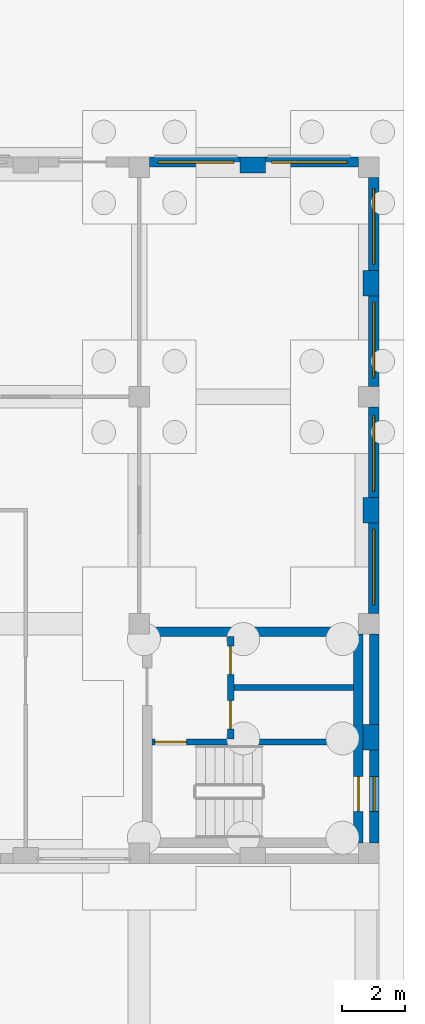
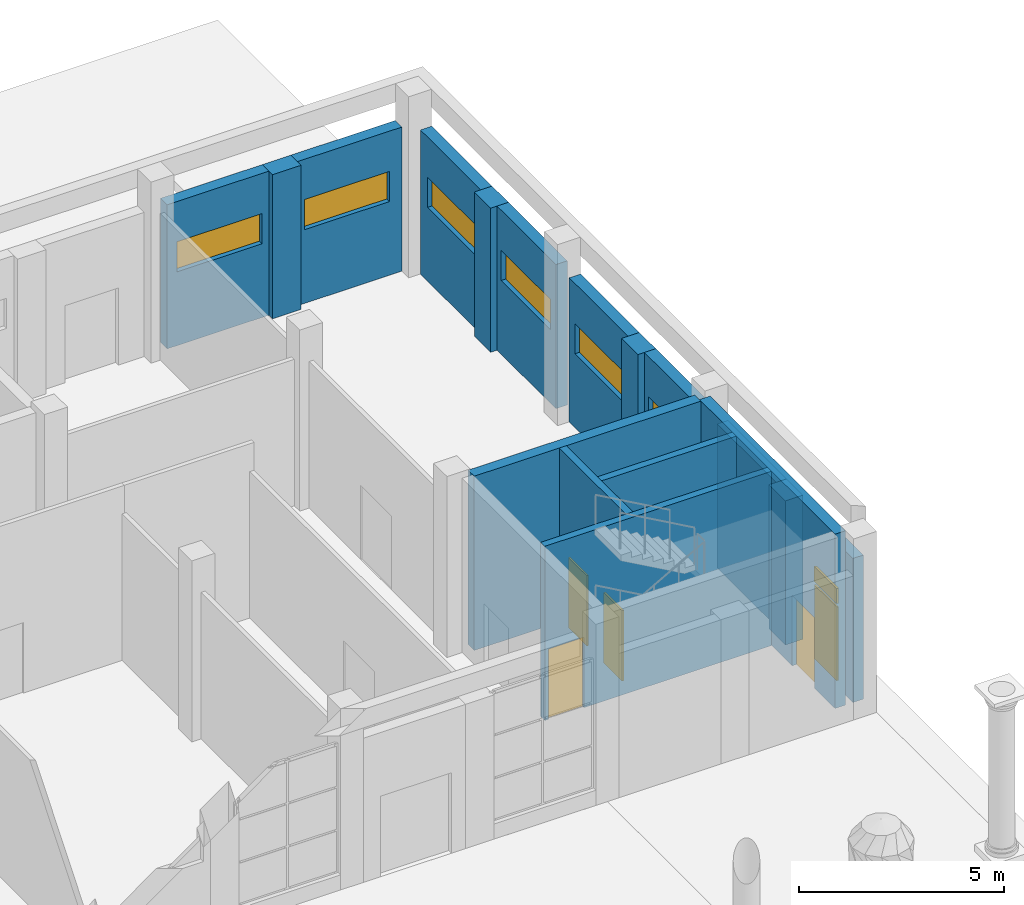
# One storey, part 53 of 80: 17 walls, 7 windows, 5 doors, 12 openings.
"""IFC4 building model written with IfcOpenShell, lengths in metres."""

from ifc_helpers import new_model, si_unit, direction, frame, frame_2d, origin, place, context, subcontext, project, spatial, rectangle, extrude, material, layer, layer_set, type_object, element, fill, save


model = new_model("IFC4")

# Units and contexts
model_context = context("Model", 3, precision=1e-05, world=origin(), true_north=direction((0.0, 1.0)))
body_context = subcontext(model_context, "Body", "Model", "MODEL_VIEW")
ifc_project = project(units=[si_unit("LENGTHUNIT", "METRE"), si_unit("AREAUNIT", "SQUARE_METRE"), si_unit("VOLUMEUNIT", "CUBIC_METRE"), si_unit("PLANEANGLEUNIT", "RADIAN"), si_unit("MASSUNIT", "GRAM", prefix="KILO")], contexts=[model_context])

# Site, building, storey
site_placement = place(None, origin())
site = spatial("IfcSite", under=ifc_project, at=site_placement, CompositionType="ELEMENT")
building_placement = place(site_placement, origin())
building = spatial("IfcBuilding", under=site, at=building_placement, Name="Ussher Court Research Institute", CompositionType="ELEMENT")
storey_placement = place(building_placement, origin())
storey = spatial("IfcBuildingStorey", under=building, at=storey_placement, Name="L00", CompositionType="ELEMENT", Elevation=0.0)

# Wall, opening, window
ifc_material_1 = material(Name="Faience facing on insulated blockwork", Category="masonry")
ifc_layer_1 = layer(ifc_material_1, 0.320068359375)
ifc_layer_set_1 = layer_set([ifc_layer_1], Name="Faience facing on insulated blockwork")
wall_type_1 = type_object("IfcWallType", Name="Clean-room wall 320 faience faced insulated panel", PredefinedType="SOLIDWALL", material=ifc_layer_set_1)
wall_1_placement = place(storey_placement, frame((96.925048828125, 90.639892578125, 0.0), z_axis=(0.0, 0.0, 1.0), x_axis=(1.0, 0.0, 0.0)))
wall_1 = element("IfcWall", 1, at=wall_1_placement, inside=storey, type_object=wall_type_1, Name="External wall EW3 L00", PredefinedType="SOLIDWALL", context=body_context, shape_type="SweptSolid", body=[
    extrude(rectangle(XDim=2.875, YDim=0.320068359375, at=frame_2d((1.4375, 0.0))), origin(), (0.0, 0.0, 1.0), 4.300048828125),
])
opening_1_placement = place(wall_1_placement, frame((0.27490234375, 0.0, 2.199951171875)))
opening_1 = element("IfcOpeningElement", 2, at=opening_1_placement, cuts=wall_1, Name="Opening W11", PredefinedType="OPENING", context=body_context, shape_type="SweptSolid", body=[
    extrude(rectangle(XDim=2.39990234375, YDim=0.89990234375, at=frame_2d((1.199951171875, 0.449951171875))), frame((0.0, 0.169921875, 0.0), z_axis=(0.0, -1.0, 0.0), x_axis=(1.0, 0.0, 0.0)), (0.0, 0.0, 1.0), 0.340087890625),
])
ifc_material_2 = material(Name="Bronze anodised aluminium with double glazing", Category="aluminium")
window_type_1 = type_object("IfcWindowType", Name="Store high-level window 2400x900", PartitioningType="TRIPLE_PANEL_HORIZONTAL", PredefinedType="WINDOW", material=ifc_material_2)
window_1_placement = place(opening_1_placement, origin())
window_1 = element("IfcWindow", 3, at=window_1_placement, inside=storey, type_object=window_type_1, Name="Window W11 L00", OverallHeight=0.89990234375, OverallWidth=2.39990234375, PartitioningType="SINGLE_PANEL", PredefinedType="WINDOW", context=body_context, shape_type="SweptSolid", body=[
    extrude(rectangle(XDim=2.39990234375, YDim=0.89990234375, at=frame_2d((1.199951171875, 0.449951171875))), frame((0.0, 0.030029296875, 0.0), z_axis=(0.0, -1.0, 0.0), x_axis=(1.0, 0.0, 0.0)), (0.0, 0.0, 1.0), 0.06005859375),
])
fill(opening_1, window_1)

wall_2_placement = place(storey_placement, frame((100.60009765625, 90.639892578125, 0.0), z_axis=(0.0, 0.0, 1.0), x_axis=(1.0, 0.0, 0.0)))
wall_2 = element("IfcWall", 4, at=wall_2_placement, inside=storey, type_object=wall_type_1, Name="External wall EW3 L00", PredefinedType="SOLIDWALL", context=body_context, shape_type="SweptSolid", body=[
    extrude(rectangle(XDim=2.949951171875, YDim=0.320068359375, at=frame_2d((1.47509765625, 0.0))), origin(), (0.0, 0.0, 1.0), 4.300048828125),
])
opening_2_placement = place(wall_2_placement, frame((0.199951171875, 0.0, 2.199951171875)))
opening_2 = element("IfcOpeningElement", 5, at=opening_2_placement, cuts=wall_2, Name="Opening W11", PredefinedType="OPENING", context=body_context, shape_type="SweptSolid", body=[
    extrude(rectangle(XDim=2.39990234375, YDim=0.89990234375, at=frame_2d((1.199951171875, 0.449951171875))), frame((0.0, 0.169921875, 0.0), z_axis=(0.0, -1.0, 0.0), x_axis=(1.0, 0.0, 0.0)), (0.0, 0.0, 1.0), 0.340087890625),
])
window_2_placement = place(opening_2_placement, origin())
window_2 = element("IfcWindow", 6, at=window_2_placement, inside=storey, type_object=window_type_1, Name="Window W11 L00", OverallHeight=0.89990234375, OverallWidth=2.39990234375, PartitioningType="SINGLE_PANEL", PredefinedType="WINDOW", context=body_context, shape_type="SweptSolid", body=[
    extrude(rectangle(XDim=2.39990234375, YDim=0.89990234375, at=frame_2d((1.199951171875, 0.449951171875))), frame((0.0, 0.030029296875, 0.0), z_axis=(0.0, -1.0, 0.0), x_axis=(1.0, 0.0, 0.0)), (0.0, 0.0, 1.0), 0.06005859375),
])
fill(opening_2, window_2)

wall_3_placement = place(storey_placement, frame((104.0400390625, 90.14990234375, 0.0), z_axis=(0.0, 0.0, 1.0), x_axis=(0.0, -1.0, 0.0)))
wall_3 = element("IfcWall", 7, at=wall_3_placement, inside=storey, type_object=wall_type_1, Name="External wall EW3 L00", PredefinedType="SOLIDWALL", context=body_context, shape_type="SweptSolid", body=[
    extrude(rectangle(XDim=2.949951171875, YDim=0.320068359375, at=frame_2d((1.47509765625, 0.0))), origin(), (0.0, 0.0, 1.0), 4.300048828125),
])
opening_3_placement = place(wall_3_placement, frame((0.35009765625, 0.0, 2.199951171875)))
opening_3 = element("IfcOpeningElement", 8, at=opening_3_placement, cuts=wall_3, Name="Opening W11", PredefinedType="OPENING", context=body_context, shape_type="SweptSolid", body=[
    extrude(rectangle(XDim=2.39990234375, YDim=0.89990234375, at=frame_2d((1.199951171875, 0.449951171875))), frame((0.0, 0.169921875, 0.0), z_axis=(0.0, -1.0, 0.0), x_axis=(1.0, 0.0, 0.0)), (0.0, 0.0, 1.0), 0.340087890625),
])
window_3_placement = place(opening_3_placement, origin())
window_3 = element("IfcWindow", 9, at=window_3_placement, inside=storey, type_object=window_type_1, Name="Window W11 L00", OverallHeight=0.89990234375, OverallWidth=2.39990234375, PartitioningType="SINGLE_PANEL", PredefinedType="WINDOW", context=body_context, shape_type="SweptSolid", body=[
    extrude(rectangle(XDim=2.39990234375, YDim=0.89990234375, at=frame_2d((1.199951171875, 0.449951171875))), frame((0.0, 0.030029296875, 0.0), z_axis=(0.0, -1.0, 0.0), x_axis=(1.0, 0.0, 0.0)), (0.0, 0.0, 1.0), 0.06005859375),
])
fill(opening_3, window_3)

wall_4_placement = place(storey_placement, frame((104.0400390625, 86.39990234375, 0.0), z_axis=(0.0, 0.0, 1.0), x_axis=(0.0, -1.0, 0.0)))
wall_4 = element("IfcWall", 10, at=wall_4_placement, inside=storey, type_object=wall_type_1, Name="External wall EW3 L00", PredefinedType="SOLIDWALL", context=body_context, shape_type="SweptSolid", body=[
    extrude(rectangle(XDim=2.875, YDim=0.320068359375, at=frame_2d((1.4375, 0.0))), origin(), (0.0, 0.0, 1.0), 4.300048828125),
])
opening_4_placement = place(wall_4_placement, frame((0.199951171875, 0.0, 2.199951171875)))
opening_4 = element("IfcOpeningElement", 11, at=opening_4_placement, cuts=wall_4, Name="Opening W11", PredefinedType="OPENING", context=body_context, shape_type="SweptSolid", body=[
    extrude(rectangle(XDim=2.39990234375, YDim=0.89990234375, at=frame_2d((1.199951171875, 0.449951171875))), frame((0.0, 0.169921875, 0.0), z_axis=(0.0, -1.0, 0.0), x_axis=(1.0, 0.0, 0.0)), (0.0, 0.0, 1.0), 0.340087890625),
])
window_4_placement = place(opening_4_placement, origin())
window_4 = element("IfcWindow", 12, at=window_4_placement, inside=storey, type_object=window_type_1, Name="Window W11 L00", OverallHeight=0.89990234375, OverallWidth=2.39990234375, PartitioningType="SINGLE_PANEL", PredefinedType="WINDOW", context=body_context, shape_type="SweptSolid", body=[
    extrude(rectangle(XDim=2.39990234375, YDim=0.89990234375, at=frame_2d((1.199951171875, 0.449951171875))), frame((0.0, 0.030029296875, 0.0), z_axis=(0.0, -1.0, 0.0), x_axis=(1.0, 0.0, 0.0)), (0.0, 0.0, 1.0), 0.06005859375),
])
fill(opening_4, window_4)

wall_5_placement = place(storey_placement, frame((104.0400390625, 82.875, 0.0), z_axis=(0.0, 0.0, 1.0), x_axis=(0.0, -1.0, 0.0)))
wall_5 = element("IfcWall", 13, at=wall_5_placement, inside=storey, type_object=wall_type_1, Name="External wall EW3 L00", PredefinedType="SOLIDWALL", context=body_context, shape_type="SweptSolid", body=[
    extrude(rectangle(XDim=2.875, YDim=0.320068359375, at=frame_2d((1.4375, 0.0))), origin(), (0.0, 0.0, 1.0), 4.300048828125),
])
opening_5_placement = place(wall_5_placement, frame((0.27490234375, 0.0, 2.199951171875)))
opening_5 = element("IfcOpeningElement", 14, at=opening_5_placement, cuts=wall_5, Name="Opening W11", PredefinedType="OPENING", context=body_context, shape_type="SweptSolid", body=[
    extrude(rectangle(XDim=2.39990234375, YDim=0.89990234375, at=frame_2d((1.199951171875, 0.449951171875))), frame((0.0, 0.169921875, 0.0), z_axis=(0.0, -1.0, 0.0), x_axis=(1.0, 0.0, 0.0)), (0.0, 0.0, 1.0), 0.340087890625),
])
window_5_placement = place(opening_5_placement, origin())
window_5 = element("IfcWindow", 15, at=window_5_placement, inside=storey, type_object=window_type_1, Name="Window W11 L00", OverallHeight=0.89990234375, OverallWidth=2.39990234375, PartitioningType="SINGLE_PANEL", PredefinedType="WINDOW", context=body_context, shape_type="SweptSolid", body=[
    extrude(rectangle(XDim=2.39990234375, YDim=0.89990234375, at=frame_2d((1.199951171875, 0.449951171875))), frame((0.0, 0.030029296875, 0.0), z_axis=(0.0, -1.0, 0.0), x_axis=(1.0, 0.0, 0.0)), (0.0, 0.0, 1.0), 0.06005859375),
])
fill(opening_5, window_5)

wall_6_placement = place(storey_placement, frame((104.0400390625, 79.199951171875, 0.0), z_axis=(0.0, 0.0, 1.0), x_axis=(0.0, -1.0, 0.0)))
wall_6 = element("IfcWall", 16, at=wall_6_placement, inside=storey, type_object=wall_type_1, Name="External wall EW3 L00", PredefinedType="SOLIDWALL", context=body_context, shape_type="SweptSolid", body=[
    extrude(rectangle(XDim=2.875, YDim=0.320068359375, at=frame_2d((1.4375, 0.0))), origin(), (0.0, 0.0, 1.0), 4.300048828125),
])
opening_6_placement = place(wall_6_placement, frame((0.199951171875, 0.0, 2.199951171875)))
opening_6 = element("IfcOpeningElement", 17, at=opening_6_placement, cuts=wall_6, Name="Opening W11", PredefinedType="OPENING", context=body_context, shape_type="SweptSolid", body=[
    extrude(rectangle(XDim=2.39990234375, YDim=0.89990234375, at=frame_2d((1.199951171875, 0.449951171875))), frame((0.0, 0.169921875, 0.0), z_axis=(0.0, -1.0, 0.0), x_axis=(1.0, 0.0, 0.0)), (0.0, 0.0, 1.0), 0.340087890625),
])
window_6_placement = place(opening_6_placement, origin())
window_6 = element("IfcWindow", 18, at=window_6_placement, inside=storey, type_object=window_type_1, Name="Window W11 L00", OverallHeight=0.89990234375, OverallWidth=2.39990234375, PartitioningType="SINGLE_PANEL", PredefinedType="WINDOW", context=body_context, shape_type="SweptSolid", body=[
    extrude(rectangle(XDim=2.39990234375, YDim=0.89990234375, at=frame_2d((1.199951171875, 0.449951171875))), frame((0.0, 0.030029296875, 0.0), z_axis=(0.0, -1.0, 0.0), x_axis=(1.0, 0.0, 0.0)), (0.0, 0.0, 1.0), 0.06005859375),
])
fill(opening_6, window_6)

# Wall
ifc_material_3 = material(Name="Limestone facing on blockwork", Category="masonry")
ifc_layer_2 = layer(ifc_material_3, 0.300048828125)
ifc_layer_set_2 = layer_set([ifc_layer_2], Name="Limestone facing on blockwork")
wall_type_2 = type_object("IfcWallType", Name="External wall 300 stair enclosure", PredefinedType="SOLIDWALL", material=ifc_layer_set_2)
wall_7_placement = place(storey_placement, frame((104.050048828125, 75.675048828125, 0.0), z_axis=(0.0, 0.0, 1.0), x_axis=(0.0, -1.0, 0.0)))
element("IfcWall", 19, at=wall_7_placement, inside=storey, type_object=wall_type_2, Name="External wall EW5 L00", PredefinedType="SOLIDWALL", context=body_context, shape_type="SweptSolid", body=[
    extrude(rectangle(XDim=2.875, YDim=0.300048828125, at=frame_2d((1.4375, 0.0))), origin(), (0.0, 0.0, 1.0), 4.300048828125),
])

# Wall, openings, door, window
wall_8_placement = place(storey_placement, frame((104.050048828125, 72.0, 0.0), z_axis=(0.0, 0.0, 1.0), x_axis=(0.0, -1.0, 0.0)))
wall_8 = element("IfcWall", 20, at=wall_8_placement, inside=storey, type_object=wall_type_2, Name="External wall EW5 L00", PredefinedType="SOLIDWALL", context=body_context, shape_type="SweptSolid", body=[
    extrude(rectangle(XDim=2.949951171875, YDim=0.300048828125, at=frame_2d((1.47509765625, 0.0))), origin(), (0.0, 0.0, 1.0), 4.300048828125),
])
opening_7_placement = place(wall_8_placement, frame((0.85009765625, 0.0, 0.0)))
opening_7 = element("IfcOpeningElement", 21, at=opening_7_placement, cuts=wall_8, Name="Opening DX08", PredefinedType="OPENING", context=body_context, shape_type="SweptSolid", body=[
    extrude(rectangle(XDim=1.10009765625, YDim=2.199951171875, at=frame_2d((0.550048828125, 1.10009765625))), frame((0.0, 0.16015625, 0.0), z_axis=(0.0, -1.0, 0.0), x_axis=(1.0, 0.0, 0.0)), (0.0, 0.0, 1.0), 0.320068359375),
])
opening_8_placement = place(wall_8_placement, frame((0.85009765625, 0.0, 2.300048828125)))
opening_8 = element("IfcOpeningElement", 22, at=opening_8_placement, cuts=wall_8, Name="Opening W18", PredefinedType="OPENING", context=body_context, shape_type="SweptSolid", body=[
    extrude(rectangle(XDim=1.10009765625, YDim=0.449951171875, at=frame_2d((0.550048828125, 0.22509765625))), frame((0.0, 0.16015625, 0.0), z_axis=(0.0, -1.0, 0.0), x_axis=(1.0, 0.0, 0.0)), (0.0, 0.0, 1.0), 0.320068359375),
])
ifc_material_4 = material(Name="Painted steel", Category="steel")
door_type_1 = type_object("IfcDoorType", Name="Stair discharge door 1100x2200", OperationType="SINGLE_SWING_LEFT", PredefinedType="DOOR", material=ifc_material_4)
door_1_placement = place(opening_7_placement, origin())
door_1 = element("IfcDoor", 23, at=door_1_placement, inside=storey, type_object=door_type_1, Name="Door DX08", OperationType="SINGLE_SWING_LEFT", OverallHeight=2.199951171875, OverallWidth=1.10009765625, PredefinedType="DOOR", context=body_context, shape_type="SweptSolid", body=[
    extrude(rectangle(XDim=1.10009765625, YDim=2.199951171875, at=frame_2d((0.550048828125, 1.10009765625))), frame((0.0, 0.02490234375, 0.0), z_axis=(0.0, -1.0, 0.0), x_axis=(1.0, 0.0, 0.0)), (0.0, 0.0, 1.0), 0.050048828125),
])
fill(opening_7, door_1)
ifc_material_5 = material(Name="Bronze anodised aluminium with double glazing", Category="aluminium")
window_type_2 = type_object("IfcWindowType", Name="Stair discharge transom light 1100x450", PartitioningType="SINGLE_PANEL", PredefinedType="WINDOW", material=ifc_material_5)
window_7_placement = place(opening_8_placement, origin())
window_7 = element("IfcWindow", 24, at=window_7_placement, inside=storey, type_object=window_type_2, Name="Window W18 L00", OverallHeight=0.449951171875, OverallWidth=1.10009765625, PartitioningType="SINGLE_PANEL", PredefinedType="WINDOW", context=body_context, shape_type="SweptSolid", body=[
    extrude(rectangle(XDim=1.10009765625, YDim=0.449951171875, at=frame_2d((0.550048828125, 0.22509765625))), frame((0.0, 0.030029296875, 0.0), z_axis=(0.0, -1.0, 0.0), x_axis=(1.0, 0.0, 0.0)), (0.0, 0.0, 1.0), 0.06005859375),
])
fill(opening_8, window_7)

# Walls
ifc_material_6 = material(Name="Rusticated limestone facing on blockwork", Category="masonry")
ifc_layer_3 = layer(ifc_material_6, 0.5)
ifc_layer_set_3 = layer_set([ifc_layer_3], Name="Rusticated limestone facing on blockwork")
wall_type_3 = type_object("IfcWallType", Name="Pier 800x500 rusticated limestone", PredefinedType="SOLIDWALL", material=ifc_layer_set_3)
for number, where, z_axis, x_axis, name in (
    (25, (99.800048828125, 90.550048828125, 0.0), (0.0, 0.0, 1.0), (1.0, 0.0, 0.0), "Pier PR2 L00"),
    (26, (103.949951171875, 87.199951171875, 0.0), (0.0, 0.0, 1.0), (0.0, -1.0, 0.0), "Pier PR2 L00"),
    (27, (103.949951171875, 80.0, 0.0), (0.0, 0.0, 1.0), (0.0, -1.0, 0.0), "Pier PR2 L00"),
    (28, (103.949951171875, 72.800048828125, 0.0), (0.0, 0.0, 1.0), (0.0, -1.0, 0.0), "Pier PR2 L00"),
):
    element("IfcWall", number, at=place(storey_placement, frame(where, z_axis=z_axis, x_axis=x_axis)), inside=storey, type_object=wall_type_3, Name=name, PredefinedType="SOLIDWALL", context=body_context, shape_type="SweptSolid", body=[
        extrude(rectangle(XDim=0.800048828125, YDim=0.5, at=frame_2d((0.39990234375, 0.0))), origin(), (0.0, 0.0, 1.0), 4.300048828125),
    ])

# Wall, opening, door
ifc_material_7 = material(Name="Concrete C35/45", Category="concrete")
ifc_layer_4 = layer(ifc_material_7, 0.199951171875)
ifc_layer_set_4 = layer_set([ifc_layer_4], Name="Concrete C35/45")
wall_type_4 = type_object("IfcWallType", Name="RC core wall 200", PredefinedType="SHEAR", material=ifc_layer_set_4)
wall_9_placement = place(storey_placement, frame((97.0, 72.25, 0.0), z_axis=(0.0, 0.0, 1.0), x_axis=(1.0, 0.0, 0.0)))
wall_9 = element("IfcWall", 29, at=wall_9_placement, inside=storey, type_object=wall_type_4, Name="Core wall C2", PredefinedType="SHEAR", context=body_context, shape_type="SweptSolid", body=[
    extrude(rectangle(XDim=6.39990234375, YDim=0.199951171875, at=frame_2d((3.199951171875, 0.0))), origin(), (0.0, 0.0, 1.0), 5.199951171875),
])
opening_9_placement = place(wall_9_placement, frame((0.10009765625, 0.0, 0.0)))
opening_9 = element("IfcOpeningElement", 30, at=opening_9_placement, cuts=wall_9, Name="Opening D00093", PredefinedType="OPENING", context=body_context, shape_type="SweptSolid", body=[
    extrude(rectangle(XDim=1.0, YDim=2.10009765625, at=frame_2d((0.5, 1.050048828125))), frame((0.0, 0.10986328125, 0.0), z_axis=(0.0, -1.0, 0.0), x_axis=(1.0, 0.0, 0.0)), (0.0, 0.0, 1.0), 0.219970703125),
])
ifc_material_8 = material(Name="Painted steel faced fire door", Category="steel")
door_type_2 = type_object("IfcDoorType", Name="Fire door 1000x2100 FD60", OperationType="NOTDEFINED", PredefinedType="DOOR", material=ifc_material_8)
door_2_placement = place(opening_9_placement, origin())
door_2 = element("IfcDoor", 31, at=door_2_placement, inside=storey, type_object=door_type_2, Name="Door D00093", OperationType="SINGLE_SWING_LEFT", OverallHeight=2.10009765625, OverallWidth=1.0, PredefinedType="DOOR", context=body_context, shape_type="SweptSolid", body=[
    extrude(rectangle(XDim=1.0, YDim=2.10009765625, at=frame_2d((0.5, 1.050048828125))), frame((0.0, 0.02490234375, 0.0), z_axis=(0.0, -1.0, 0.0), x_axis=(1.0, 0.0, 0.0)), (0.0, 0.0, 1.0), 0.050048828125),
])
fill(opening_9, door_2)

# Wall, openings, doors
wall_10_placement = place(storey_placement, frame((99.5, 72.35009765625, 0.0), z_axis=(0.0, 0.0, 1.0), x_axis=(0.0, 1.0, 0.0)))
wall_10 = element("IfcWall", 32, at=wall_10_placement, inside=storey, type_object=wall_type_4, Name="Core wall C2", PredefinedType="SHEAR", context=body_context, shape_type="SweptSolid", body=[
    extrude(rectangle(XDim=3.25, YDim=0.199951171875, at=frame_2d((1.625, 0.0))), origin(), (0.0, 0.0, 1.0), 5.199951171875),
])
opening_10_placement = place(wall_10_placement, frame((0.3125, 0.0, 0.0)))
opening_10 = element("IfcOpeningElement", 33, at=opening_10_placement, cuts=wall_10, Name="Opening D00094", PredefinedType="OPENING", context=body_context, shape_type="SweptSolid", body=[
    extrude(rectangle(XDim=0.89990234375, YDim=2.10009765625, at=frame_2d((0.449951171875, 1.050048828125))), frame((0.0, 0.10986328125, 0.0), z_axis=(0.0, -1.0, 0.0), x_axis=(1.0, 0.0, 0.0)), (0.0, 0.0, 1.0), 0.219970703125),
])
opening_11_placement = place(wall_10_placement, frame((2.03759765625, 0.0, 0.0)))
opening_11 = element("IfcOpeningElement", 34, at=opening_11_placement, cuts=wall_10, Name="Opening D00095", PredefinedType="OPENING", context=body_context, shape_type="SweptSolid", body=[
    extrude(rectangle(XDim=0.89990234375, YDim=2.10009765625, at=frame_2d((0.449951171875, 1.050048828125))), frame((0.0, 0.10986328125, 0.0), z_axis=(0.0, -1.0, 0.0), x_axis=(1.0, 0.0, 0.0)), (0.0, 0.0, 1.0), 0.219970703125),
])
ifc_material_9 = material(Name="Painted steel faced fire door", Category="steel")
door_type_3 = type_object("IfcDoorType", Name="Fire door 900x2100 FD60", OperationType="NOTDEFINED", PredefinedType="DOOR", material=ifc_material_9)
door_3_placement = place(opening_10_placement, origin())
door_3 = element("IfcDoor", 35, at=door_3_placement, inside=storey, type_object=door_type_3, Name="Door D00094", OperationType="SINGLE_SWING_LEFT", OverallHeight=2.10009765625, OverallWidth=0.89990234375, PredefinedType="DOOR", context=body_context, shape_type="SweptSolid", body=[
    extrude(rectangle(XDim=0.89990234375, YDim=2.10009765625, at=frame_2d((0.449951171875, 1.050048828125))), frame((0.0, 0.02490234375, 0.0), z_axis=(0.0, -1.0, 0.0), x_axis=(1.0, 0.0, 0.0)), (0.0, 0.0, 1.0), 0.050048828125),
])
fill(opening_10, door_3)
door_4_placement = place(opening_11_placement, origin())
door_4 = element("IfcDoor", 36, at=door_4_placement, inside=storey, type_object=door_type_3, Name="Door D00095", OperationType="SINGLE_SWING_RIGHT", OverallHeight=2.10009765625, OverallWidth=0.89990234375, PredefinedType="DOOR", context=body_context, shape_type="SweptSolid", body=[
    extrude(rectangle(XDim=0.89990234375, YDim=2.10009765625, at=frame_2d((0.449951171875, 1.050048828125))), frame((0.0, 0.02490234375, 0.0), z_axis=(0.0, -1.0, 0.0), x_axis=(1.0, 0.0, 0.0)), (0.0, 0.0, 1.0), 0.050048828125),
])
fill(opening_11, door_4)

# Wall
wall_11_placement = place(storey_placement, frame((99.60009765625, 73.97509765625, 0.0), z_axis=(0.0, 0.0, 1.0), x_axis=(1.0, 0.0, 0.0)))
element("IfcWall", 37, at=wall_11_placement, inside=storey, type_object=wall_type_4, Name="Core wall C2", PredefinedType="SHEAR", context=body_context, shape_type="SweptSolid", body=[
    extrude(rectangle(XDim=3.7998046875, YDim=0.199951171875, at=frame_2d((1.89990234375, 0.0))), origin(), (0.0, 0.0, 1.0), 5.199951171875),
])

# Wall, opening, door
ifc_material_10 = material(Name="Concrete C35/45", Category="concrete")
ifc_layer_5 = layer(ifc_material_10, 0.300048828125)
ifc_layer_set_5 = layer_set([ifc_layer_5], Name="Concrete C35/45")
wall_type_5 = type_object("IfcWallType", Name="RC core wall 300", PredefinedType="SHEAR", material=ifc_layer_set_5)
wall_12_placement = place(storey_placement, frame((103.550048828125, 69.050048828125, 0.0), z_axis=(0.0, 0.0, 1.0), x_axis=(0.0, 1.0, 0.0)))
wall_12 = element("IfcWall", 38, at=wall_12_placement, inside=storey, type_object=wall_type_5, Name="Core wall C2", PredefinedType="SHEAR", context=body_context, shape_type="SweptSolid", body=[
    extrude(rectangle(XDim=6.625, YDim=0.300048828125, at=frame_2d((3.3125, 0.0))), origin(), (0.0, 0.0, 1.0), 5.199951171875),
])
opening_12_placement = place(wall_12_placement, frame((1.0, 0.0, 0.0)))
opening_12 = element("IfcOpeningElement", 39, at=opening_12_placement, cuts=wall_12, Name="Opening D00097", PredefinedType="OPENING", context=body_context, shape_type="SweptSolid", body=[
    extrude(rectangle(XDim=1.10009765625, YDim=2.10009765625, at=frame_2d((0.550048828125, 1.050048828125))), frame((0.0, 0.16015625, 0.0), z_axis=(0.0, -1.0, 0.0), x_axis=(1.0, 0.0, 0.0)), (0.0, 0.0, 1.0), 0.320068359375),
])
ifc_material_11 = material(Name="Painted steel faced fire door", Category="steel")
door_type_4 = type_object("IfcDoorType", Name="Fire door 1100x2100 FD60", OperationType="NOTDEFINED", PredefinedType="DOOR", material=ifc_material_11)
door_5_placement = place(opening_12_placement, origin())
door_5 = element("IfcDoor", 40, at=door_5_placement, inside=storey, type_object=door_type_4, Name="Door D00097", OperationType="SINGLE_SWING_LEFT", OverallHeight=2.10009765625, OverallWidth=1.10009765625, PredefinedType="DOOR", context=body_context, shape_type="SweptSolid", body=[
    extrude(rectangle(XDim=1.10009765625, YDim=2.10009765625, at=frame_2d((0.550048828125, 1.050048828125))), frame((0.0, 0.02490234375, 0.0), z_axis=(0.0, -1.0, 0.0), x_axis=(1.0, 0.0, 0.0)), (0.0, 0.0, 1.0), 0.050048828125),
])
fill(opening_12, door_5)

# Wall
wall_13_placement = place(storey_placement, frame((97.0, 75.75, 0.0), z_axis=(0.0, 0.0, 1.0), x_axis=(1.0, 0.0, 0.0)))
element("IfcWall", 41, at=wall_13_placement, inside=storey, type_object=wall_type_5, Name="Core wall C2", PredefinedType="SHEAR", context=body_context, shape_type="SweptSolid", body=[
    extrude(rectangle(XDim=6.39990234375, YDim=0.300048828125, at=frame_2d((3.199951171875, 0.0))), origin(), (0.0, 0.0, 1.0), 5.199951171875),
])

save(model, "model.ifc")
